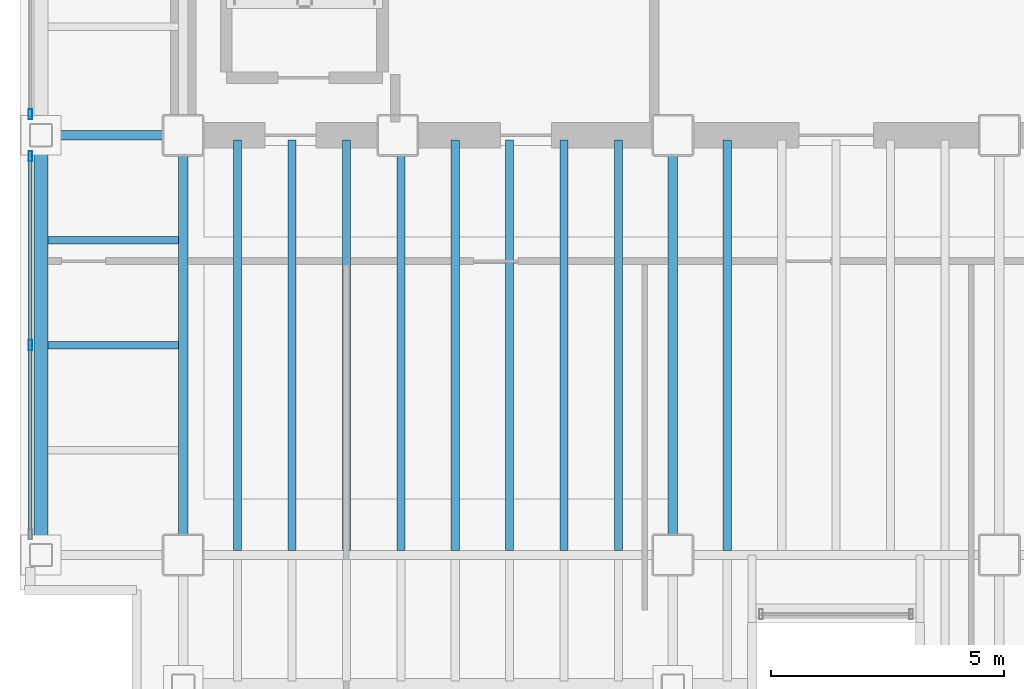
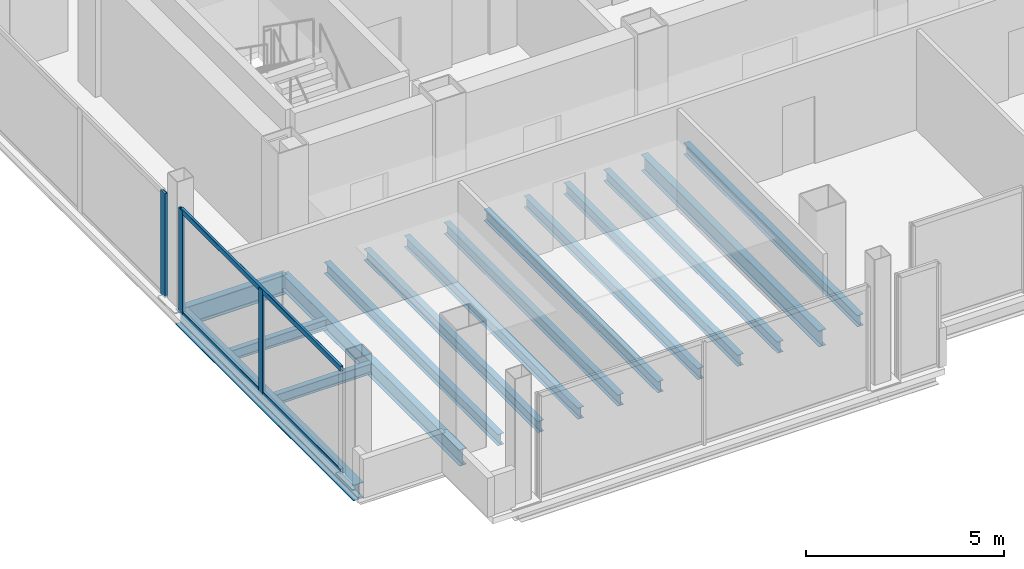
# One storey, part 3 of 16: 15 beams, 5 members, 2 elements without a shape of their own.
"""IFC4 building model written with IfcOpenShell, lengths in metres."""

from ifc_helpers import new_model, si_unit, direction, frame, origin, origin_2d, place, context, subcontext, project, spatial, hollow_rectangle, i_section, extrude, material, material_profile, profile_set, type_object, element, aggregate, save


model = new_model("IFC4")

# Units and contexts
model_context = context("Model", 3, precision=1e-05, world=origin(), true_north=direction((0.0, 1.0)))
body_context = subcontext(model_context, "Body", "Model", "MODEL_VIEW")
ifc_project = project(units=[si_unit("LENGTHUNIT", "METRE"), si_unit("AREAUNIT", "SQUARE_METRE"), si_unit("VOLUMEUNIT", "CUBIC_METRE"), si_unit("PLANEANGLEUNIT", "RADIAN"), si_unit("MASSUNIT", "GRAM", prefix="KILO")], contexts=[model_context])

# Site, building, storey
site_placement = place(None, origin())
site = spatial("IfcSite", under=ifc_project, at=site_placement, CompositionType="ELEMENT")
building_placement = place(site_placement, origin())
building = spatial("IfcBuilding", under=site, at=building_placement, Name="Noeulbin Bourse Tower", CompositionType="ELEMENT")
storey_placement = place(building_placement, frame((0.0, 0.0, 177.300048828125)))
storey = spatial("IfcBuildingStorey", under=building, at=storey_placement, Name="L44", CompositionType="ELEMENT", Elevation=177.300048828125)

# Beams
ifc_material_1 = material(Name="Steel S355", Category="steel")
ifc_material_profile_1 = material_profile(ifc_material_1, i_section(OverallWidth=0.199951171875, OverallDepth=0.5, WebThickness=0.010009765625, FlangeThickness=0.01611328125, FilletRadius=0.02001953125, at=origin_2d()), Name="H-500x200x10x16", Category="LoadBearing")
ifc_profile_set_1 = profile_set([ifc_material_profile_1], Name="Steel S355")
beam_type_1 = type_object("IfcBeamType", Name="BM-GRD-500", PredefinedType="USERDEFINED", material=ifc_profile_set_1)
for number, where, z_axis, x_axis, name in (
    (1, (13.5, 20.0, -0.429931640625), (0.0, 1.0, 0.0), (-1.0, 0.0, 0.0), "Tower Primary Girder NS L44-1.2"),
    (2, (24.0, 20.0, -0.429931640625), (0.0, 1.0, 0.0), (-1.0, 0.0, 0.0), "Tower Primary Girder NS L44-2.2"),
):
    element("IfcBeam", number, at=place(storey_placement, frame(where, z_axis=z_axis, x_axis=x_axis)), inside=storey, type_object=beam_type_1, Name=name, ObjectType="GIRDER", PredefinedType="USERDEFINED", context=body_context, shape_type="SweptSolid", body=[
        extrude(i_section(OverallWidth=0.199951171875, OverallDepth=0.5, WebThickness=0.010009765625, FlangeThickness=0.01611328125, FilletRadius=0.02001953125, at=origin_2d()), origin(), (0.0, 0.0, 1.0), 9.0),
    ])
ifc_material_profile_2 = material_profile(ifc_material_1, i_section(OverallWidth=0.199951171875, OverallDepth=0.60009765625, WebThickness=0.010986328125, FlangeThickness=0.01708984375, FilletRadius=0.02197265625, at=origin_2d()), Name="H-600x200x11x17", Category="LoadBearing")
ifc_profile_set_2 = profile_set([ifc_material_profile_2], Name="Steel S355")
beam_type_2 = type_object("IfcBeamType", Name="BM-GRD-600", PredefinedType="USERDEFINED", material=ifc_profile_set_2)
beam_1_placement = place(storey_placement, frame((10.449951171875, 29.0, -0.47998046875), z_axis=(1.0, 0.0, 0.0), x_axis=(0.0, 1.0, 0.0)))
element("IfcBeam", 3, at=beam_1_placement, inside=storey, type_object=beam_type_2, Name="Tower Primary Girder EW L44-2.1", ObjectType="GIRDER", PredefinedType="USERDEFINED", context=body_context, shape_type="SweptSolid", body=[
    extrude(i_section(OverallWidth=0.199951171875, OverallDepth=0.60009765625, WebThickness=0.010986328125, FlangeThickness=0.01708984375, FilletRadius=0.02197265625, at=origin_2d()), origin(), (0.0, 0.0, 1.0), 3.050048828125),
])
ifc_material_profile_3 = material_profile(ifc_material_1, i_section(OverallWidth=0.159912109375, OverallDepth=0.320068359375, WebThickness=0.006591796875, FlangeThickness=0.010009765625, FilletRadius=0.012939453125, at=origin_2d()), Name="H-320x160x6.5x10", Category="LoadBearing")
ifc_profile_set_3 = profile_set([ifc_material_profile_3], Name="Steel S355")
beam_type_3 = type_object("IfcBeamType", Name="BM-JST-320", PredefinedType="JOIST", material=ifc_profile_set_3)
for number, where, z_axis, x_axis, name in (
    (4, (10.60009765625, 24.5, -0.340087890625), (1.0, 0.0, 0.0), (0.0, 1.0, 0.0), "Wing Composite Joist L44-W68"),
    (5, (10.60009765625, 26.75, -0.340087890625), (1.0, 0.0, 0.0), (0.0, 1.0, 0.0), "Wing Composite Joist L44-W69"),
):
    element("IfcBeam", number, at=place(storey_placement, frame(where, z_axis=z_axis, x_axis=x_axis)), inside=storey, type_object=beam_type_3, Name=name, PredefinedType="JOIST", context=body_context, shape_type="SweptSolid", body=[
        extrude(i_section(OverallWidth=0.159912109375, OverallDepth=0.320068359375, WebThickness=0.006591796875, FlangeThickness=0.010009765625, FilletRadius=0.012939453125, at=origin_2d()), origin(), (0.0, 0.0, 1.0), 2.7998046875),
    ])
ifc_material_profile_4 = material_profile(ifc_material_1, i_section(OverallWidth=0.175048828125, OverallDepth=0.35009765625, WebThickness=0.007080078125, FlangeThickness=0.010986328125, FilletRadius=0.013916015625, at=origin_2d()), Name="H-350x175x7x11", Category="LoadBearing")
ifc_profile_set_4 = profile_set([ifc_material_profile_4], Name="Steel S355")
beam_type_4 = type_object("IfcBeamType", Name="BM-JST-350", PredefinedType="JOIST", material=ifc_profile_set_4)
for number, where, z_axis, x_axis, name in (
    (6, (14.666748046875, 20.10009765625, -0.35498046875), (0.0, 1.0, 0.0), (-1.0, 0.0, 0.0), "Tower Composite Joist L44-02"),
    (7, (15.833251953125, 20.10009765625, -0.35498046875), (0.0, 1.0, 0.0), (-1.0, 0.0, 0.0), "Tower Composite Joist L44-05"),
    (8, (17.0, 20.10009765625, -0.35498046875), (0.0, 1.0, 0.0), (-1.0, 0.0, 0.0), "Tower Composite Joist L44-08"),
    (9, (18.166748046875, 20.10009765625, -0.35498046875), (0.0, 1.0, 0.0), (-1.0, 0.0, 0.0), "Tower Composite Joist L44-11"),
    (10, (19.333251953125, 20.10009765625, -0.35498046875), (0.0, 1.0, 0.0), (-1.0, 0.0, 0.0), "Tower Composite Joist L44-14"),
    (11, (20.5, 20.10009765625, -0.35498046875), (0.0, 1.0, 0.0), (-1.0, 0.0, 0.0), "Tower Composite Joist L44-17"),
    (12, (21.666748046875, 20.10009765625, -0.35498046875), (0.0, 1.0, 0.0), (-1.0, 0.0, 0.0), "Tower Composite Joist L44-20"),
    (13, (22.833251953125, 20.10009765625, -0.35498046875), (0.0, 1.0, 0.0), (-1.0, 0.0, 0.0), "Tower Composite Joist L44-23"),
    (14, (25.166748046875, 20.10009765625, -0.35498046875), (0.0, 1.0, 0.0), (-1.0, 0.0, 0.0), "Tower Composite Joist L44-26"),
):
    element("IfcBeam", number, at=place(storey_placement, frame(where, z_axis=z_axis, x_axis=x_axis)), inside=storey, type_object=beam_type_4, Name=name, PredefinedType="JOIST", context=body_context, shape_type="SweptSolid", body=[
        extrude(i_section(OverallWidth=0.175048828125, OverallDepth=0.35009765625, WebThickness=0.007080078125, FlangeThickness=0.010986328125, FilletRadius=0.013916015625, at=origin_2d()), origin(), (0.0, 0.0, 1.0), 8.7998046875),
    ])
ifc_material_profile_5 = material_profile(ifc_material_1, i_section(OverallWidth=0.300048828125, OverallDepth=0.488037109375, WebThickness=0.010986328125, FlangeThickness=0.01806640625, FilletRadius=0.02197265625, at=origin_2d()), Name="H-488x300x11x18", Category="LoadBearing")
ifc_profile_set_5 = profile_set([ifc_material_profile_5], Name="Steel S355")
beam_type_5 = type_object("IfcBeamType", Name="BM-SPN-488", PredefinedType="SPANDREL", material=ifc_profile_set_5)
beam_2_placement = place(storey_placement, frame((10.449951171875, 20.0, -0.424072265625), z_axis=(0.0, 1.0, 0.0), x_axis=(-1.0, 0.0, 0.0)))
element("IfcBeam", 15, at=beam_2_placement, inside=storey, type_object=beam_type_5, Name="West Spandrel L44-1", PredefinedType="SPANDREL", context=body_context, shape_type="SweptSolid", body=[
    extrude(i_section(OverallWidth=0.300048828125, OverallDepth=0.488037109375, WebThickness=0.010986328125, FlangeThickness=0.01806640625, FilletRadius=0.02197265625, at=origin_2d()), origin(), (0.0, 0.0, 1.0), 9.0),
])

# Curtain wall, members
ifc_material_2 = material(Name="Dark Tinted Triple Glazing", Category="glass")
curtain_wall_type = type_object("IfcCurtainWallType", Name="CW-SYS-3", PredefinedType="NOTDEFINED", material=ifc_material_2)
curtain_wall_1_placement = place(storey_placement, origin())
curtain_wall_1 = element("IfcCurtainWall", 16, at=curtain_wall_1_placement, inside=storey, type_object=curtain_wall_type, Name="Unitised Curtain Wall CW-L44-W-S1", PredefinedType="NOTDEFINED")
ifc_material_3 = material(Name="Anodised Aluminium 6063-T6", Category="aluminium")
ifc_material_profile_6 = material_profile(ifc_material_3, hollow_rectangle(XDim=0.074951171875, YDim=0.219970703125, WallThickness=0.0048828125, InnerFilletRadius=0.00244140625, OuterFilletRadius=0.0048828125, at=origin_2d()), Name="ALU-MULL-75x220x5", Category="LoadBearing")
ifc_profile_set_6 = profile_set([ifc_material_profile_6], Name="Anodised Aluminium 6063-T6")
member_type_1 = type_object("IfcMemberType", Name="CW-SYS-3-MUL", PredefinedType="MULLION", material=ifc_profile_set_6)
member_1_placement = place(storey_placement, frame((10.219970703125, 24.5, -0.02001953125), z_axis=(0.0, 0.0, 1.0), x_axis=(1.0, 0.0, 0.0)))
member_1 = element("IfcMember", 17, at=member_1_placement, type_object=member_type_1, Name="Curtain Wall Mullion CW-L44-W-S1-M01", PredefinedType="MULLION", context=body_context, shape_type="SweptSolid", body=[
    extrude(hollow_rectangle(XDim=0.074951171875, YDim=0.219970703125, WallThickness=0.0048828125, InnerFilletRadius=0.00244140625, OuterFilletRadius=0.0048828125, at=origin_2d()), origin(), (0.0, 0.0, 1.0), 3.219970703125),
])
member_2_placement = place(storey_placement, frame((10.219970703125, 28.550048828125, -0.02001953125), z_axis=(0.0, 0.0, 1.0), x_axis=(1.0, 0.0, 0.0)))
member_2 = element("IfcMember", 18, at=member_2_placement, type_object=member_type_1, Name="Curtain Wall Mullion CW-L44-W-S1-M02", PredefinedType="MULLION", context=body_context, shape_type="SweptSolid", body=[
    extrude(hollow_rectangle(XDim=0.074951171875, YDim=0.219970703125, WallThickness=0.0048828125, InnerFilletRadius=0.00244140625, OuterFilletRadius=0.0048828125, at=origin_2d()), origin(), (0.0, 0.0, 1.0), 3.219970703125),
])

# Curtain wall, member
curtain_wall_2_placement = place(storey_placement, origin())
curtain_wall_2 = element("IfcCurtainWall", 19, at=curtain_wall_2_placement, inside=storey, type_object=curtain_wall_type, Name="Unitised Curtain Wall CW-L44-W-S2", PredefinedType="NOTDEFINED")
member_3_placement = place(storey_placement, frame((10.219970703125, 29.449951171875, -0.02001953125), z_axis=(0.0, 0.0, 1.0), x_axis=(1.0, 0.0, 0.0)))
member_3 = element("IfcMember", 20, at=member_3_placement, type_object=member_type_1, Name="Curtain Wall Mullion CW-L44-W-S2-M00", PredefinedType="MULLION", context=body_context, shape_type="SweptSolid", body=[
    extrude(hollow_rectangle(XDim=0.074951171875, YDim=0.219970703125, WallThickness=0.0048828125, InnerFilletRadius=0.00244140625, OuterFilletRadius=0.0048828125, at=origin_2d()), origin(), (0.0, 0.0, 1.0), 3.219970703125),
])
aggregate(curtain_wall_2, [member_3])

# Member
ifc_material_profile_7 = material_profile(ifc_material_3, hollow_rectangle(XDim=0.074951171875, YDim=0.159912109375, WallThickness=0.0048828125, InnerFilletRadius=0.00244140625, OuterFilletRadius=0.0048828125, at=origin_2d()), Name="ALU-TRAN-75x160x5", Category="LoadBearing")
ifc_profile_set_7 = profile_set([ifc_material_profile_7], Name="Anodised Aluminium 6063-T6")
member_type_2 = type_object("IfcMemberType", Name="CW-SYS-3-TRN", PredefinedType="USERDEFINED", material=ifc_profile_set_7)
member_4_placement = place(storey_placement, frame((10.219970703125, 20.4599609375, 0.010009765625), z_axis=(0.0, 1.0, 0.0), x_axis=(-1.0, 0.0, 0.0)))
member_4 = element("IfcMember", 21, at=member_4_placement, type_object=member_type_2, Name="Curtain Wall Transom CW-L44-W-S1-T00", ObjectType="TRANSOM", PredefinedType="USERDEFINED", context=body_context, shape_type="SweptSolid", body=[
    extrude(hollow_rectangle(XDim=0.074951171875, YDim=0.159912109375, WallThickness=0.0048828125, InnerFilletRadius=0.00244140625, OuterFilletRadius=0.0048828125, at=origin_2d()), origin(), (0.0, 0.0, 1.0), 8.080078125),
])

member_5_placement = place(storey_placement, frame((10.219970703125, 20.4599609375, 3.169921875), z_axis=(0.0, 1.0, 0.0), x_axis=(-1.0, 0.0, 0.0)))
member_5 = element("IfcMember", 22, at=member_5_placement, type_object=member_type_2, Name="Curtain Wall Transom CW-L44-W-S1-T01", ObjectType="TRANSOM", PredefinedType="USERDEFINED", context=body_context, shape_type="SweptSolid", body=[
    extrude(hollow_rectangle(XDim=0.074951171875, YDim=0.159912109375, WallThickness=0.0048828125, InnerFilletRadius=0.00244140625, OuterFilletRadius=0.0048828125, at=origin_2d()), origin(), (0.0, 0.0, 1.0), 8.080078125),
])

aggregate(curtain_wall_1, [member_1, member_2, member_4, member_5])

save(model, "model.ifc")
